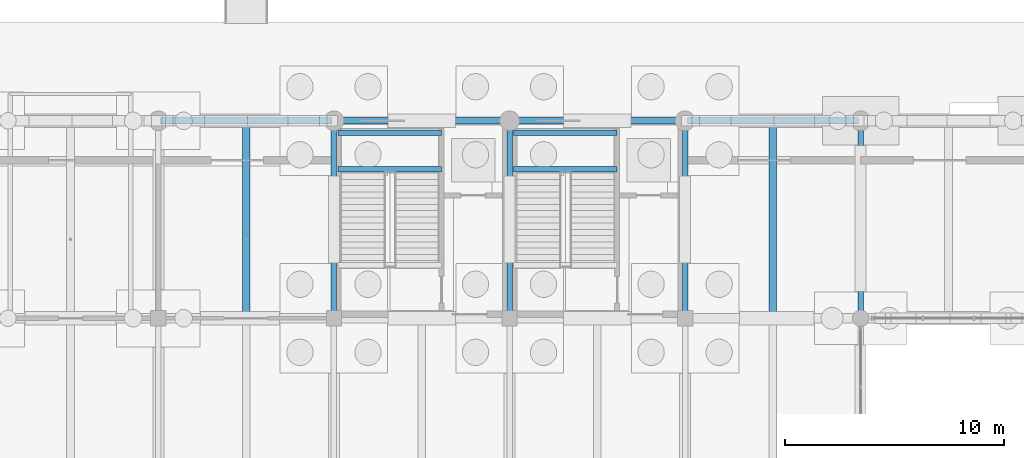
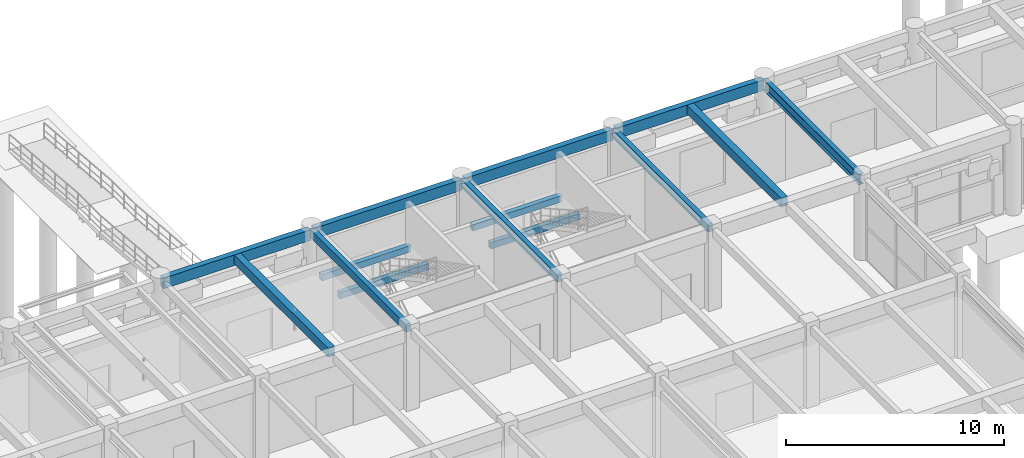
# One storey, part 55 of 147: 14 beams.
"""IFC4 building model written with IfcOpenShell, lengths in metres."""

from ifc_helpers import new_model, si_unit, direction, frame, origin, origin_2d, place, context, subcontext, project, spatial, rectangle, i_section, extrude, material, material_profile, profile_set, type_object, element, save


model = new_model("IFC4")

# Units and contexts
model_context = context("Model", 3, precision=1e-05, world=origin(), true_north=direction((0.0, 1.0)))
body_context = subcontext(model_context, "Body", "Model", "MODEL_VIEW")
ifc_project = project(units=[si_unit("LENGTHUNIT", "METRE"), si_unit("AREAUNIT", "SQUARE_METRE"), si_unit("VOLUMEUNIT", "CUBIC_METRE"), si_unit("PLANEANGLEUNIT", "RADIAN"), si_unit("MASSUNIT", "GRAM", prefix="KILO")], contexts=[model_context])

# Site, building, storey
site_placement = place(None, origin())
site = spatial("IfcSite", under=ifc_project, at=site_placement, CompositionType="ELEMENT")
building_placement = place(site_placement, origin())
building = spatial("IfcBuilding", under=site, at=building_placement, Name="Varnabhumi Central Station", CompositionType="ELEMENT")
storey_placement = place(building_placement, origin())
storey = spatial("IfcBuildingStorey", under=building, at=storey_placement, Name="L00", CompositionType="ELEMENT", Elevation=0.0)

# Beams
ifc_material_1 = material(Name="Concrete M35", Category="concrete")
ifc_material_profile_1 = material_profile(ifc_material_1, rectangle(XDim=0.25, YDim=0.35009765625, at=origin_2d()), Name="Concrete M35", Category="concrete")
ifc_profile_set_1 = profile_set([ifc_material_profile_1], Name="Concrete M35")
beam_type_1 = type_object("IfcBeamType", Name="BM-RC-250x350", PredefinedType="LINTEL", material=ifc_profile_set_1)
for number, where, z_axis, x_axis, name in (
    (1, (24.179931640625, 113.794921875, 2.044921875), (1.0, 0.0, 0.0), (0.0, 1.0, 0.0), "ST-N1 L00 Half Landing Support Beam 1"),
    (2, (24.179931640625, 115.4599609375, 2.044921875), (1.0, 0.0, 0.0), (0.0, 1.0, 0.0), "ST-N1 L00 Half Landing Support Beam 2"),
    (3, (32.179931640625, 113.794921875, 2.044921875), (1.0, 0.0, 0.0), (0.0, 1.0, 0.0), "ST-N4 L00 Half Landing Support Beam 1"),
    (4, (32.179931640625, 115.4599609375, 2.044921875), (1.0, 0.0, 0.0), (0.0, 1.0, 0.0), "ST-N4 L00 Half Landing Support Beam 2"),
):
    element("IfcBeam", number, at=place(storey_placement, frame(where, z_axis=z_axis, x_axis=x_axis)), inside=storey, type_object=beam_type_1, Name=name, PredefinedType="LINTEL", context=body_context, shape_type="SweptSolid", body=[
        extrude(rectangle(XDim=0.25, YDim=0.35009765625, at=origin_2d()), origin(), (0.0, 0.0, 1.0), 4.719970703125),
    ])
ifc_material_profile_2 = material_profile(ifc_material_1, rectangle(XDim=0.25, YDim=0.449951171875, at=origin_2d()), Name="Concrete M35", Category="concrete")
ifc_profile_set_2 = profile_set([ifc_material_profile_2], Name="Concrete M35")
beam_type_2 = type_object("IfcBeamType", Name="BM-RC-250x450", PredefinedType="LINTEL", material=ifc_profile_set_2)
for number, where, z_axis, x_axis, name in (
    (5, (24.0, 107.10009765625, 4.324951171875), (0.0, 1.0, 0.0), (-1.0, 0.0, 0.0), "Beam L00-4:N-P"),
    (6, (32.0, 107.10009765625, 4.324951171875), (0.0, 1.0, 0.0), (-1.0, 0.0, 0.0), "Beam L00-5:N-P"),
    (7, (40.0, 107.10009765625, 4.324951171875), (0.0, 1.0, 0.0), (-1.0, 0.0, 0.0), "Beam L00-6:N-P"),
):
    element("IfcBeam", number, at=place(storey_placement, frame(where, z_axis=z_axis, x_axis=x_axis)), inside=storey, type_object=beam_type_2, Name=name, PredefinedType="LINTEL", context=body_context, shape_type="SweptSolid", body=[
        extrude(rectangle(XDim=0.25, YDim=0.449951171875, at=origin_2d()), origin(), (0.0, 0.0, 1.0), 8.7998046875),
    ])
ifc_material_2 = material(Name="Concrete M40", Category="concrete")
ifc_material_profile_3 = material_profile(ifc_material_2, rectangle(XDim=0.300048828125, YDim=0.60009765625, at=origin_2d()), Name="Concrete M40", Category="concrete")
ifc_profile_set_3 = profile_set([ifc_material_profile_3], Name="Concrete M40")
beam_type_3 = type_object("IfcBeamType", Name="BM-RC-300x600", PredefinedType="SPANDREL", material=ifc_profile_set_3)
for number, where, z_axis, x_axis, name in (
    (8, (16.10009765625, 116.0, 4.25), (1.0, 0.0, 0.0), (0.0, 1.0, 0.0), "Beam L00-P:3-4"),
    (9, (24.10009765625, 116.0, 4.25), (1.0, 0.0, 0.0), (0.0, 1.0, 0.0), "Beam L00-P:4-5"),
    (10, (32.10009765625, 116.0, 4.25), (1.0, 0.0, 0.0), (0.0, 1.0, 0.0), "Beam L00-P:5-6"),
    (11, (40.10009765625, 116.0, 4.25), (1.0, 0.0, 0.0), (0.0, 1.0, 0.0), "Beam L00-P:6-7"),
):
    element("IfcBeam", number, at=place(storey_placement, frame(where, z_axis=z_axis, x_axis=x_axis)), inside=storey, type_object=beam_type_3, Name=name, PredefinedType="SPANDREL", context=body_context, shape_type="SweptSolid", body=[
        extrude(rectangle(XDim=0.300048828125, YDim=0.60009765625, at=origin_2d()), origin(), (0.0, 0.0, 1.0), 7.7998046875),
    ])
ifc_material_profile_4 = material_profile(ifc_material_2, rectangle(XDim=0.35009765625, YDim=0.5, at=origin_2d()), Name="Concrete M40", Category="concrete")
ifc_profile_set_4 = profile_set([ifc_material_profile_4], Name="Concrete M40")
beam_type_4 = type_object("IfcBeamType", Name="BM-RC-350x500", PredefinedType="JOIST", material=ifc_profile_set_4)
for number, where, z_axis, x_axis, name in (
    (12, (20.0, 107.22509765625, 4.300048828125), (0.0, 1.0, 0.0), (-1.0, 0.0, 0.0), "Secondary Joist L00-3/4:N-P"),
    (13, (44.0, 107.22509765625, 4.300048828125), (0.0, 1.0, 0.0), (-1.0, 0.0, 0.0), "Secondary Joist L00-6/7:N-P"),
):
    element("IfcBeam", number, at=place(storey_placement, frame(where, z_axis=z_axis, x_axis=x_axis)), inside=storey, type_object=beam_type_4, Name=name, PredefinedType="JOIST", context=body_context, shape_type="SweptSolid", body=[
        extrude(rectangle(XDim=0.35009765625, YDim=0.5, at=origin_2d()), origin(), (0.0, 0.0, 1.0), 8.625),
    ])
ifc_material_3 = material(Name="Structural steel E350", Category="steel")
ifc_material_profile_5 = material_profile(ifc_material_3, i_section(OverallWidth=0.25, OverallDepth=0.60009765625, WebThickness=0.01171875, FlangeThickness=0.023681640625, FilletRadius=0.01708984375, at=origin_2d()), Name="Structural steel E350", Category="steel")
ifc_profile_set_5 = profile_set([ifc_material_profile_5], Name="Structural steel E350")
beam_type_5 = type_object("IfcBeamType", Name="BM-SEC-ISWB600", PredefinedType="BEAM", material=ifc_profile_set_5)
beam_placement = place(storey_placement, frame((48.0, 107.10009765625, 4.25), z_axis=(0.0, 1.0, 0.0), x_axis=(-1.0, 0.0, 0.0)))
element("IfcBeam", 14, at=beam_placement, inside=storey, type_object=beam_type_5, Name="Beam L00-7:N-P", PredefinedType="BEAM", context=body_context, shape_type="SweptSolid", body=[
    extrude(i_section(OverallWidth=0.25, OverallDepth=0.60009765625, WebThickness=0.01171875, FlangeThickness=0.023681640625, FilletRadius=0.01708984375, at=origin_2d()), origin(), (0.0, 0.0, 1.0), 8.7998046875),
])

save(model, "model.ifc")
